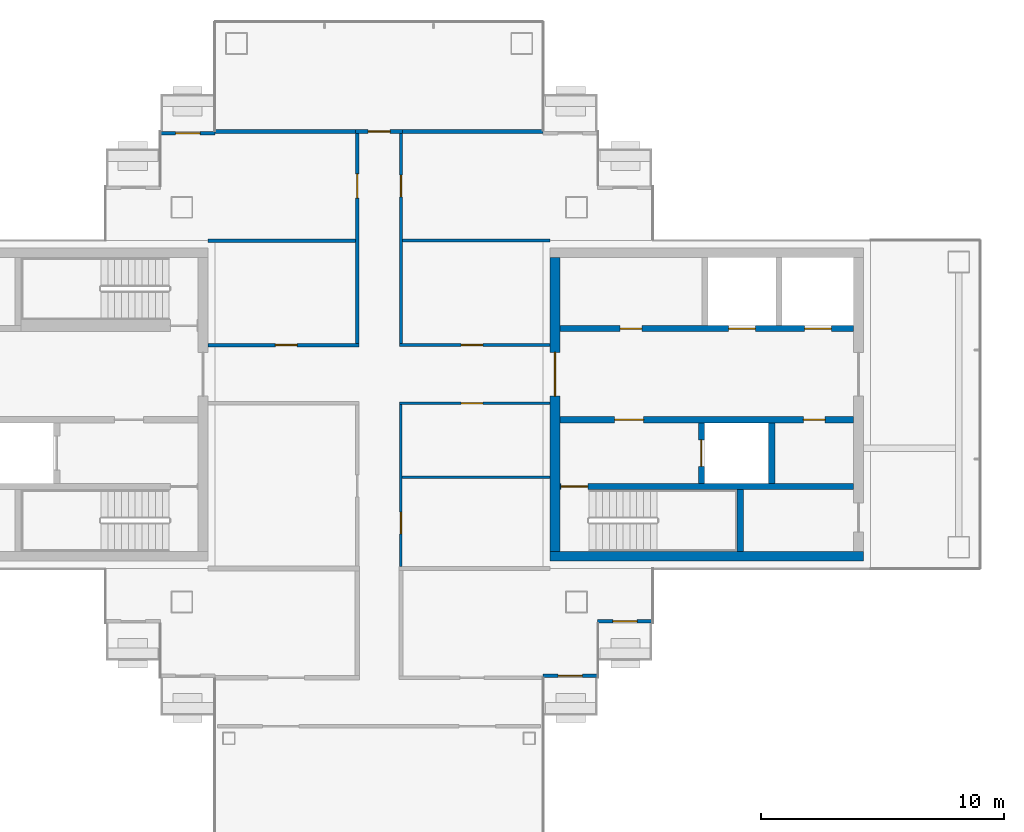
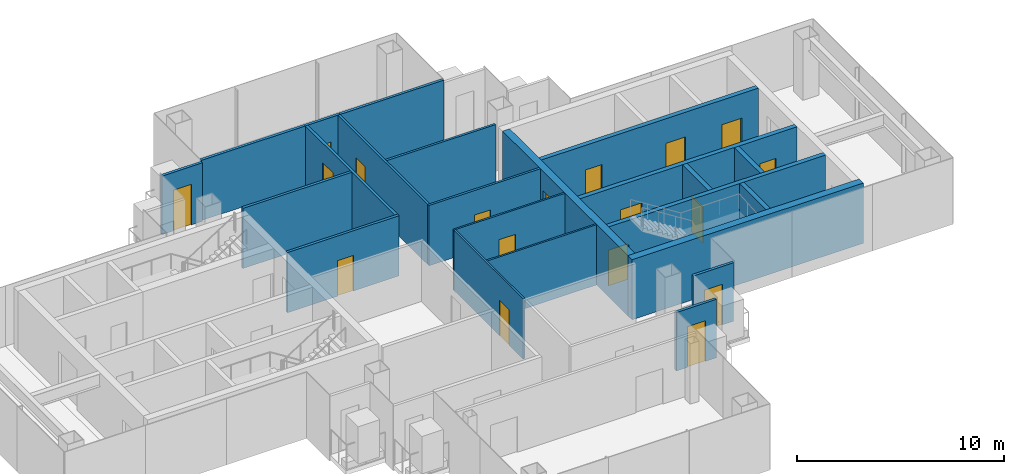
# One storey, part 10 of 16: 23 walls, 18 doors, 18 openings.
"""IFC4 building model written with IfcOpenShell, lengths in metres."""

from ifc_helpers import new_model, si_unit, direction, frame, frame_2d, origin, place, context, subcontext, project, spatial, rectangle, extrude, material, layer, layer_set, type_object, element, fill, save


model = new_model("IFC4")

# Units and contexts
model_context = context("Model", 3, precision=1e-05, world=origin(), true_north=direction((0.0, 1.0)))
body_context = subcontext(model_context, "Body", "Model", "MODEL_VIEW")
ifc_project = project(units=[si_unit("LENGTHUNIT", "METRE"), si_unit("AREAUNIT", "SQUARE_METRE"), si_unit("VOLUMEUNIT", "CUBIC_METRE"), si_unit("PLANEANGLEUNIT", "RADIAN"), si_unit("MASSUNIT", "GRAM", prefix="KILO")], contexts=[model_context])

# Site, building, storey
site_placement = place(None, origin())
site = spatial("IfcSite", under=ifc_project, at=site_placement, CompositionType="ELEMENT")
building_placement = place(site_placement, origin())
building = spatial("IfcBuilding", under=site, at=building_placement, Name="Shamsa Quay Exchange Towers", CompositionType="ELEMENT")
storey_placement = place(building_placement, frame((0.0, 0.0, 265.5)))
storey = spatial("IfcBuildingStorey", under=building, at=storey_placement, Name="L64", CompositionType="ELEMENT", Elevation=265.5)

# Wall, opening, door
ifc_material_1 = material(Name="Aluminium EN AW-6063 T6, black anodised, with black enamelled glass infill", Category="aluminium")
ifc_layer_1 = layer(ifc_material_1, 0.14990234375)
ifc_layer_set_1 = layer_set([ifc_layer_1], Name="BALCONY DOOR BAY WALL 150")
wall_type_1 = type_object("IfcWallType", Name="BALCONY DOOR BAY WALL 150", PredefinedType="SOLIDWALL", material=ifc_layer_set_1)
wall_1_placement = place(storey_placement, frame((-22.5, -8.925048828125, 0.0), z_axis=(0.0, 0.0, 1.0), x_axis=(-1.0, 0.0, 0.0)))
wall_1 = element("IfcWall", 1, at=wall_1_placement, inside=storey, type_object=wall_type_1, Name="Door bay T1-PKES L64", PredefinedType="SOLIDWALL", context=body_context, shape_type="SweptSolid", body=[
    extrude(rectangle(XDim=2.25, YDim=0.14990234375, at=frame_2d((1.125, 0.0))), origin(), (0.0, 0.0, 1.0), 3.449951171875),
])
opening_1_placement = place(wall_1_placement, frame((0.625, 0.0, 0.0)))
opening_1 = element("IfcOpeningElement", 2, at=opening_1_placement, cuts=wall_1, Name="Opening XD435", PredefinedType="OPENING", context=body_context, shape_type="SweptSolid", body=[
    extrude(rectangle(XDim=1.0, YDim=2.39990234375, at=frame_2d((0.5, 1.199951171875))), frame((0.0, 0.0849609375, 0.0), z_axis=(0.0, -1.0, 0.0), x_axis=(1.0, 0.0, 0.0)), (0.0, 0.0, 1.0), 0.169921875),
])
ifc_material_2 = material(Name="Aluminium EN AW-6063 T6, black anodised, with laminated glass leaf", Category="aluminium")
door_type_1 = type_object("IfcDoorType", Name="BALCONY DOOR 1000x2400", OperationType="SINGLE_SWING_LEFT", PredefinedType="DOOR", material=ifc_material_2)
door_1_placement = place(opening_1_placement, origin())
door_1 = element("IfcDoor", 3, at=door_1_placement, inside=storey, type_object=door_type_1, Name="Balcony door T1-PKES L64", OperationType="SINGLE_SWING_RIGHT", OverallHeight=2.39990234375, OverallWidth=1.0, PredefinedType="DOOR", context=body_context, shape_type="SweptSolid", body=[
    extrude(rectangle(XDim=1.0, YDim=2.39990234375, at=frame_2d((0.5, 1.199951171875))), frame((0.0, 0.02490234375, 0.0), z_axis=(0.0, -1.0, 0.0), x_axis=(1.0, 0.0, 0.0)), (0.0, 0.0, 1.0), 0.050048828125),
])
fill(opening_1, door_1)

wall_2_placement = place(storey_placement, frame((-24.75, -11.175048828125, 0.0), z_axis=(0.0, 0.0, 1.0), x_axis=(-1.0, 0.0, 0.0)))
wall_2 = element("IfcWall", 4, at=wall_2_placement, inside=storey, type_object=wall_type_1, Name="Door bay T1-PKES L64", PredefinedType="SOLIDWALL", context=body_context, shape_type="SweptSolid", body=[
    extrude(rectangle(XDim=2.25, YDim=0.14990234375, at=frame_2d((1.125, 0.0))), origin(), (0.0, 0.0, 1.0), 3.449951171875),
])
opening_2_placement = place(wall_2_placement, frame((0.625, 0.0, 0.0)))
opening_2 = element("IfcOpeningElement", 5, at=opening_2_placement, cuts=wall_2, Name="Opening XD436", PredefinedType="OPENING", context=body_context, shape_type="SweptSolid", body=[
    extrude(rectangle(XDim=1.0, YDim=2.39990234375, at=frame_2d((0.5, 1.199951171875))), frame((0.0, 0.0849609375, 0.0), z_axis=(0.0, -1.0, 0.0), x_axis=(1.0, 0.0, 0.0)), (0.0, 0.0, 1.0), 0.169921875),
])
door_2_placement = place(opening_2_placement, origin())
door_2 = element("IfcDoor", 6, at=door_2_placement, inside=storey, type_object=door_type_1, Name="Balcony door T1-PKES L64", OperationType="SINGLE_SWING_LEFT", OverallHeight=2.39990234375, OverallWidth=1.0, PredefinedType="DOOR", context=body_context, shape_type="SweptSolid", body=[
    extrude(rectangle(XDim=1.0, YDim=2.39990234375, at=frame_2d((0.5, 1.199951171875))), frame((0.0, 0.02490234375, 0.0), z_axis=(0.0, -1.0, 0.0), x_axis=(1.0, 0.0, 0.0)), (0.0, 0.0, 1.0), 0.050048828125),
])
fill(opening_2, door_2)

wall_3_placement = place(storey_placement, frame((-42.75, 11.175048828125, 0.0)))
wall_3 = element("IfcWall", 7, at=wall_3_placement, inside=storey, type_object=wall_type_1, Name="Door bay T1-PKWN L64", PredefinedType="SOLIDWALL", context=body_context, shape_type="SweptSolid", body=[
    extrude(rectangle(XDim=2.25, YDim=0.14990234375, at=frame_2d((1.125, 0.0))), origin(), (0.0, 0.0, 1.0), 3.449951171875),
])
opening_3_placement = place(wall_3_placement, frame((0.625, 0.0, 0.0)))
opening_3 = element("IfcOpeningElement", 8, at=opening_3_placement, cuts=wall_3, Name="Opening XD437", PredefinedType="OPENING", context=body_context, shape_type="SweptSolid", body=[
    extrude(rectangle(XDim=1.0, YDim=2.39990234375, at=frame_2d((0.5, 1.199951171875))), frame((0.0, 0.0849609375, 0.0), z_axis=(0.0, -1.0, 0.0), x_axis=(1.0, 0.0, 0.0)), (0.0, 0.0, 1.0), 0.169921875),
])
door_3_placement = place(opening_3_placement, origin())
door_3 = element("IfcDoor", 9, at=door_3_placement, inside=storey, type_object=door_type_1, Name="Balcony door T1-PKWN L64", OperationType="SINGLE_SWING_LEFT", OverallHeight=2.39990234375, OverallWidth=1.0, PredefinedType="DOOR", context=body_context, shape_type="SweptSolid", body=[
    extrude(rectangle(XDim=1.0, YDim=2.39990234375, at=frame_2d((0.5, 1.199951171875))), frame((0.0, 0.02490234375, 0.0), z_axis=(0.0, -1.0, 0.0), x_axis=(1.0, 0.0, 0.0)), (0.0, 0.0, 1.0), 0.050048828125),
])
fill(opening_3, door_3)

# Wall
ifc_material_3 = material(Name="Concrete C60/75", Category="concrete")
ifc_layer_2 = layer(ifc_material_3, 0.39990234375)
ifc_layer_set_2 = layer_set([ifc_layer_2], Name="CORE WALL 400 C60/75")
wall_type_2 = type_object("IfcWallType", Name="CORE WALL 400 C60/75", PredefinedType="SHEAR", material=ifc_layer_set_2)
wall_4_placement = place(storey_placement, frame((-26.699951171875, -6.25, 0.0)))
element("IfcWall", 10, at=wall_4_placement, inside=storey, type_object=wall_type_2, Name="Core wall T1A-R29-PS", PredefinedType="SHEAR", context=body_context, shape_type="SweptSolid", body=[
    extrude(rectangle(XDim=12.89990234375, YDim=0.39990234375, at=frame_2d((6.449951171875, 0.0))), origin(), (0.0, 0.0, 1.0), 3.550048828125),
])

# Wall, opening, door
wall_5_placement = place(storey_placement, frame((-26.5, 6.050048828125, 0.0), z_axis=(0.0, 0.0, 1.0), x_axis=(0.0, -1.0, 0.0)))
wall_5 = element("IfcWall", 11, at=wall_5_placement, inside=storey, type_object=wall_type_2, Name="Core wall T1A-R29-PF", PredefinedType="SHEAR", context=body_context, shape_type="SweptSolid", body=[
    extrude(rectangle(XDim=12.10009765625, YDim=0.39990234375, at=frame_2d((6.050048828125, 0.0))), origin(), (0.0, 0.0, 1.0), 3.550048828125),
])
opening_4_placement = place(wall_5_placement, frame((3.89990234375, 0.0, 0.0)))
opening_4 = element("IfcOpeningElement", 12, at=opening_4_placement, cuts=wall_5, Name="Opening T1A-R29-LBD01", PredefinedType="OPENING", context=body_context, shape_type="SweptSolid", body=[
    extrude(rectangle(XDim=1.800048828125, YDim=2.39990234375, at=frame_2d((0.89990234375, 1.199951171875))), frame((0.0, 0.2099609375, 0.0), z_axis=(0.0, -1.0, 0.0), x_axis=(1.0, 0.0, 0.0)), (0.0, 0.0, 1.0), 0.419921875),
])
ifc_material_4 = material(Name="Steel, fire rated", Category="steel")
door_type_2 = type_object("IfcDoorType", Name="LIFT LOBBY DOOR PAIR 1800", OperationType="DOUBLE_DOOR_SINGLE_SWING", PredefinedType="DOOR", material=ifc_material_4)
door_4_placement = place(opening_4_placement, origin())
door_4 = element("IfcDoor", 13, at=door_4_placement, inside=storey, type_object=door_type_2, Name="T1A-R29-LBD01", OperationType="DOUBLE_DOOR_SINGLE_SWING", OverallHeight=2.39990234375, OverallWidth=1.800048828125, PredefinedType="DOOR", context=body_context, shape_type="SweptSolid", body=[
    extrude(rectangle(XDim=1.800048828125, YDim=2.39990234375, at=frame_2d((0.89990234375, 1.199951171875))), frame((0.0, 0.02490234375, 0.0), z_axis=(0.0, -1.0, 0.0), x_axis=(1.0, 0.0, 0.0)), (0.0, 0.0, 1.0), 0.050048828125),
])
fill(opening_4, door_4)

ifc_material_5 = material(Name="Laminated fire-resisting glass in a metal frame", Category="glass")
ifc_layer_3 = layer(ifc_material_5, 0.125)
ifc_layer_set_3 = layer_set([ifc_layer_3], Name="Glazed partition 125 mm EI 60")
wall_type_3 = type_object("IfcWallType", Name="Glazed partition 125 mm EI 60", PredefinedType="PARTITIONING", material=ifc_layer_set_3)
wall_6_placement = place(storey_placement, frame((-32.849609375, 11.175048828125, 0.0), z_axis=(0.0, 0.0, 1.0), x_axis=(0.0, -1.0, 0.0)))
wall_6 = element("IfcWall", 14, at=wall_6_placement, inside=storey, type_object=wall_type_3, Name="Partition T1-R29-W01", PredefinedType="PARTITIONING", context=body_context, shape_type="SweptSolid", body=[
    extrude(rectangle(XDim=8.662353515625, YDim=0.125, at=frame_2d((4.3310546875, 0.0))), origin(), (0.0, 0.0, 1.0), 3.550048828125),
])
opening_5_placement = place(wall_6_placement, frame((1.72509765625, 0.0, 0.0)))
opening_5 = element("IfcOpeningElement", 15, at=opening_5_placement, cuts=wall_6, Name="Opening T1-R29-D11", PredefinedType="OPENING", context=body_context, shape_type="SweptSolid", body=[
    extrude(rectangle(XDim=0.89990234375, YDim=2.10009765625, at=frame_2d((0.449951171875, 1.050048828125))), frame((0.0, 0.072509765625, 0.0), z_axis=(0.0, -1.0, 0.0), x_axis=(1.0, 0.0, 0.0)), (0.0, 0.0, 1.0), 0.14501953125),
])
ifc_material_6 = material(Name="Timber door leaf in a metal frame", Category="wood")
door_type_3 = type_object("IfcDoorType", Name="Door 900x2100 FD30S", OperationType="NOTDEFINED", PredefinedType="DOOR", material=ifc_material_6)
door_5_placement = place(opening_5_placement, origin())
door_5 = element("IfcDoor", 16, at=door_5_placement, inside=storey, type_object=door_type_3, Name="Door T1-R29-D11", OperationType="SINGLE_SWING_RIGHT", OverallHeight=2.10009765625, OverallWidth=0.89990234375, PredefinedType="DOOR", context=body_context, shape_type="SweptSolid", body=[
    extrude(rectangle(XDim=0.89990234375, YDim=2.10009765625, at=frame_2d((0.449951171875, 1.050048828125))), frame((0.0, 0.02490234375, 0.0), z_axis=(0.0, -1.0, 0.0), x_axis=(1.0, 0.0, 0.0)), (0.0, 0.0, 1.0), 0.050048828125),
])
fill(opening_5, door_5)

wall_7_placement = place(storey_placement, frame((-32.912109375, 2.4501953125, 0.0)))
wall_7 = element("IfcWall", 17, at=wall_7_placement, inside=storey, type_object=wall_type_3, Name="Partition T1-R29-W02", PredefinedType="PARTITIONING", context=body_context, shape_type="SweptSolid", body=[
    extrude(rectangle(XDim=6.212158203125, YDim=0.125, at=frame_2d((3.10595703125, 0.0))), origin(), (0.0, 0.0, 1.0), 3.550048828125),
])
opening_6_placement = place(wall_7_placement, frame((2.537353515625, 0.0, 0.0)))
opening_6 = element("IfcOpeningElement", 18, at=opening_6_placement, cuts=wall_7, Name="Opening T1-R29-D10", PredefinedType="OPENING", context=body_context, shape_type="SweptSolid", body=[
    extrude(rectangle(XDim=0.89990234375, YDim=2.10009765625, at=frame_2d((0.449951171875, 1.050048828125))), frame((0.0, 0.072509765625, 0.0), z_axis=(0.0, -1.0, 0.0), x_axis=(1.0, 0.0, 0.0)), (0.0, 0.0, 1.0), 0.14501953125),
])
door_6_placement = place(opening_6_placement, origin())
door_6 = element("IfcDoor", 19, at=door_6_placement, inside=storey, type_object=door_type_3, Name="Door T1-R29-D10", OperationType="SINGLE_SWING_RIGHT", OverallHeight=2.10009765625, OverallWidth=0.89990234375, PredefinedType="DOOR", context=body_context, shape_type="SweptSolid", body=[
    extrude(rectangle(XDim=0.89990234375, YDim=2.10009765625, at=frame_2d((0.449951171875, 1.050048828125))), frame((0.0, 0.02490234375, 0.0), z_axis=(0.0, -1.0, 0.0), x_axis=(1.0, 0.0, 0.0)), (0.0, 0.0, 1.0), 0.050048828125),
])
fill(opening_6, door_6)

# Wall
wall_8_placement = place(storey_placement, frame((-26.699951171875, 6.75, 0.0), z_axis=(0.0, 0.0, 1.0), x_axis=(-1.0, 0.0, 0.0)))
element("IfcWall", 20, at=wall_8_placement, inside=storey, type_object=wall_type_3, Name="Partition T1-R29-W15", PredefinedType="PARTITIONING", context=body_context, shape_type="SweptSolid", body=[
    extrude(rectangle(XDim=6.087158203125, YDim=0.125, at=frame_2d((3.04345703125, 0.0))), origin(), (0.0, 0.0, 1.0), 3.550048828125),
])

# Wall, opening, door
ifc_material_7 = material(Name="Gypsum board partition on metal studs")
ifc_layer_4 = layer(ifc_material_7, 0.10009765625)
ifc_layer_set_4 = layer_set([ifc_layer_4], Name="Partition 100 mm NOT RATED")
wall_type_4 = type_object("IfcWallType", Name="Partition 100 mm NOT RATED", PredefinedType="PARTITIONING", material=ifc_layer_set_4)
wall_9_placement = place(storey_placement, frame((-32.849609375, -0.000244140625, 0.0), z_axis=(0.0, 0.0, 1.0), x_axis=(0.0, -1.0, 0.0)))
wall_9 = element("IfcWall", 21, at=wall_9_placement, inside=storey, type_object=wall_type_4, Name="Partition T1-R29-W03", PredefinedType="PARTITIONING", context=body_context, shape_type="SweptSolid", body=[
    extrude(rectangle(XDim=6.6748046875, YDim=0.10009765625, at=frame_2d((3.33740234375, 0.0))), origin(), (0.0, 0.0, 1.0), 3.550048828125),
])
opening_7_placement = place(wall_9_placement, frame((4.4248046875, 0.0, 0.0)))
opening_7 = element("IfcOpeningElement", 22, at=opening_7_placement, cuts=wall_9, Name="Opening T1-R29-D09", PredefinedType="OPENING", context=body_context, shape_type="SweptSolid", body=[
    extrude(rectangle(XDim=0.89990234375, YDim=2.10009765625, at=frame_2d((0.449951171875, 1.050048828125))), frame((0.0, 0.06005859375, 0.0), z_axis=(0.0, -1.0, 0.0), x_axis=(1.0, 0.0, 0.0)), (0.0, 0.0, 1.0), 0.1201171875),
])
door_type_4 = type_object("IfcDoorType", Name="Door 900x2100 NOT RATED", OperationType="NOTDEFINED", PredefinedType="DOOR", material=ifc_material_6)
door_7_placement = place(opening_7_placement, origin())
door_7 = element("IfcDoor", 23, at=door_7_placement, inside=storey, type_object=door_type_4, Name="Door T1-R29-D09", OperationType="SINGLE_SWING_LEFT", OverallHeight=2.10009765625, OverallWidth=0.89990234375, PredefinedType="DOOR", context=body_context, shape_type="SweptSolid", body=[
    extrude(rectangle(XDim=0.89990234375, YDim=2.10009765625, at=frame_2d((0.449951171875, 1.050048828125))), frame((0.0, 0.02490234375, 0.0), z_axis=(0.0, -1.0, 0.0), x_axis=(1.0, 0.0, 0.0)), (0.0, 0.0, 1.0), 0.050048828125),
])
fill(opening_7, door_7)

wall_10_placement = place(storey_placement, frame((-26.699951171875, 0.0498046875, 0.0), z_axis=(0.0, 0.0, 1.0), x_axis=(-1.0, 0.0, 0.0)))
wall_10 = element("IfcWall", 24, at=wall_10_placement, inside=storey, type_object=wall_type_4, Name="Partition T1-R29-W04", PredefinedType="PARTITIONING", context=body_context, shape_type="SweptSolid", body=[
    extrude(rectangle(XDim=6.19970703125, YDim=0.10009765625, at=frame_2d((3.099853515625, 0.0))), origin(), (0.0, 0.0, 1.0), 3.550048828125),
])
opening_8_placement = place(wall_10_placement, frame((2.77490234375, 0.0, 0.0)))
opening_8 = element("IfcOpeningElement", 25, at=opening_8_placement, cuts=wall_10, Name="Opening T1-R29-D12", PredefinedType="OPENING", context=body_context, shape_type="SweptSolid", body=[
    extrude(rectangle(XDim=0.89990234375, YDim=2.10009765625, at=frame_2d((0.449951171875, 1.050048828125))), frame((0.0, 0.06005859375, 0.0), z_axis=(0.0, -1.0, 0.0), x_axis=(1.0, 0.0, 0.0)), (0.0, 0.0, 1.0), 0.1201171875),
])
door_8_placement = place(opening_8_placement, origin())
door_8 = element("IfcDoor", 26, at=door_8_placement, inside=storey, type_object=door_type_4, Name="Door T1-R29-D12", OperationType="SINGLE_SWING_LEFT", OverallHeight=2.10009765625, OverallWidth=0.89990234375, PredefinedType="DOOR", context=body_context, shape_type="SweptSolid", body=[
    extrude(rectangle(XDim=0.89990234375, YDim=2.10009765625, at=frame_2d((0.449951171875, 1.050048828125))), frame((0.0, 0.02490234375, 0.0), z_axis=(0.0, -1.0, 0.0), x_axis=(1.0, 0.0, 0.0)), (0.0, 0.0, 1.0), 0.050048828125),
])
fill(opening_8, door_8)

# Wall
wall_11_placement = place(storey_placement, frame((-26.699951171875, -3.0, 0.0), z_axis=(0.0, 0.0, 1.0), x_axis=(-1.0, 0.0, 0.0)))
element("IfcWall", 27, at=wall_11_placement, inside=storey, type_object=wall_type_4, Name="Partition T1-R29-W16", PredefinedType="PARTITIONING", context=body_context, shape_type="SweptSolid", body=[
    extrude(rectangle(XDim=6.099609375, YDim=0.10009765625, at=frame_2d((3.0498046875, 0.0))), origin(), (0.0, 0.0, 1.0), 3.550048828125),
])

# Wall, opening, door
ifc_layer_5 = layer(ifc_material_7, 0.14990234375)
ifc_layer_set_5 = layer_set([ifc_layer_5], Name="Partition 150 mm EI 60")
wall_type_5 = type_object("IfcWallType", Name="Partition 150 mm EI 60", PredefinedType="PARTITIONING", material=ifc_layer_set_5)
wall_12_placement = place(storey_placement, frame((-40.800048828125, 2.4501953125, 0.0)))
wall_12 = element("IfcWall", 28, at=wall_12_placement, inside=storey, type_object=wall_type_5, Name="Partition T1-R29-W05", PredefinedType="PARTITIONING", context=body_context, shape_type="SweptSolid", body=[
    extrude(rectangle(XDim=6.224609375, YDim=0.14990234375, at=frame_2d((3.1123046875, 0.0))), origin(), (0.0, 0.0, 1.0), 3.550048828125),
])
opening_9_placement = place(wall_12_placement, frame((2.77490234375, 0.0, 0.0)))
opening_9 = element("IfcOpeningElement", 29, at=opening_9_placement, cuts=wall_12, Name="Opening T1-R29-D04", PredefinedType="OPENING", context=body_context, shape_type="SweptSolid", body=[
    extrude(rectangle(XDim=0.89990234375, YDim=2.10009765625, at=frame_2d((0.449951171875, 1.050048828125))), frame((0.0, 0.0849609375, 0.0), z_axis=(0.0, -1.0, 0.0), x_axis=(1.0, 0.0, 0.0)), (0.0, 0.0, 1.0), 0.169921875),
])
door_9_placement = place(opening_9_placement, origin())
door_9 = element("IfcDoor", 30, at=door_9_placement, inside=storey, type_object=door_type_3, Name="Door T1-R29-D04", OperationType="SINGLE_SWING_RIGHT", OverallHeight=2.10009765625, OverallWidth=0.89990234375, PredefinedType="DOOR", context=body_context, shape_type="SweptSolid", body=[
    extrude(rectangle(XDim=0.89990234375, YDim=2.10009765625, at=frame_2d((0.449951171875, 1.050048828125))), frame((0.0, 0.02490234375, 0.0), z_axis=(0.0, -1.0, 0.0), x_axis=(1.0, 0.0, 0.0)), (0.0, 0.0, 1.0), 0.050048828125),
])
fill(opening_9, door_9)

wall_13_placement = place(storey_placement, frame((-34.650390625, 2.525146484375, 0.0), z_axis=(0.0, 0.0, 1.0), x_axis=(0.0, 1.0, 0.0)))
wall_13 = element("IfcWall", 31, at=wall_13_placement, inside=storey, type_object=wall_type_5, Name="Partition T1-R29-W07", PredefinedType="PARTITIONING", context=body_context, shape_type="SweptSolid", body=[
    extrude(rectangle(XDim=8.64990234375, YDim=0.14990234375, at=frame_2d((4.324951171875, 0.0))), origin(), (0.0, 0.0, 1.0), 3.550048828125),
])
opening_10_placement = place(wall_13_placement, frame((5.974853515625, 0.0, 0.0)))
opening_10 = element("IfcOpeningElement", 32, at=opening_10_placement, cuts=wall_13, Name="Opening T1-R29-D06", PredefinedType="OPENING", context=body_context, shape_type="SweptSolid", body=[
    extrude(rectangle(XDim=1.0, YDim=2.39990234375, at=frame_2d((0.5, 1.199951171875))), frame((0.0, 0.0849609375, 0.0), z_axis=(0.0, -1.0, 0.0), x_axis=(1.0, 0.0, 0.0)), (0.0, 0.0, 1.0), 0.169921875),
])
door_type_5 = type_object("IfcDoorType", Name="Door 1000x2400 FD30S", OperationType="NOTDEFINED", PredefinedType="DOOR", material=ifc_material_6)
door_10_placement = place(opening_10_placement, origin())
door_10 = element("IfcDoor", 33, at=door_10_placement, inside=storey, type_object=door_type_5, Name="Door T1-R29-D06", OperationType="SINGLE_SWING_LEFT", OverallHeight=2.39990234375, OverallWidth=1.0, PredefinedType="DOOR", context=body_context, shape_type="SweptSolid", body=[
    extrude(rectangle(XDim=1.0, YDim=2.39990234375, at=frame_2d((0.5, 1.199951171875))), frame((0.0, 0.02490234375, 0.0), z_axis=(0.0, -1.0, 0.0), x_axis=(1.0, 0.0, 0.0)), (0.0, 0.0, 1.0), 0.050048828125),
])
fill(opening_10, door_10)

wall_14_placement = place(storey_placement, frame((-34.725341796875, 11.25, 0.0)))
wall_14 = element("IfcWall", 34, at=wall_14_placement, inside=storey, type_object=wall_type_5, Name="Partition T1-R29-W09", PredefinedType="PARTITIONING", context=body_context, shape_type="SweptSolid", body=[
    extrude(rectangle(XDim=1.938232421875, YDim=0.14990234375, at=frame_2d((0.96923828125, 0.0))), origin(), (0.0, 0.0, 1.0), 3.550048828125),
])
opening_11_placement = place(wall_14_placement, frame((0.525390625, 0.0, 0.0)))
opening_11 = element("IfcOpeningElement", 35, at=opening_11_placement, cuts=wall_14, Name="Opening T1-R29-D07", PredefinedType="OPENING", context=body_context, shape_type="SweptSolid", body=[
    extrude(rectangle(XDim=0.89990234375, YDim=2.10009765625, at=frame_2d((0.449951171875, 1.050048828125))), frame((0.0, 0.0849609375, 0.0), z_axis=(0.0, -1.0, 0.0), x_axis=(1.0, 0.0, 0.0)), (0.0, 0.0, 1.0), 0.169921875),
])
door_11_placement = place(opening_11_placement, origin())
door_11 = element("IfcDoor", 36, at=door_11_placement, inside=storey, type_object=door_type_3, Name="Door T1-R29-D07", OperationType="SINGLE_SWING_RIGHT", OverallHeight=2.10009765625, OverallWidth=0.89990234375, PredefinedType="DOOR", context=body_context, shape_type="SweptSolid", body=[
    extrude(rectangle(XDim=0.89990234375, YDim=2.10009765625, at=frame_2d((0.449951171875, 1.050048828125))), frame((0.0, 0.02490234375, 0.0), z_axis=(0.0, -1.0, 0.0), x_axis=(1.0, 0.0, 0.0)), (0.0, 0.0, 1.0), 0.050048828125),
])
fill(opening_11, door_11)

# Walls
wall_15_placement = place(storey_placement, frame((-34.725341796875, 6.75, 0.0), z_axis=(0.0, 0.0, 1.0), x_axis=(-1.0, 0.0, 0.0)))
element("IfcWall", 37, at=wall_15_placement, inside=storey, type_object=wall_type_5, Name="Partition T1-R29-W18", PredefinedType="PARTITIONING", context=body_context, shape_type="SweptSolid", body=[
    extrude(rectangle(XDim=6.07470703125, YDim=0.14990234375, at=frame_2d((3.037353515625, 0.0))), origin(), (0.0, 0.0, 1.0), 3.550048828125),
])
wall_16_placement = place(storey_placement, frame((-27.0, 11.25, 0.0), z_axis=(0.0, 0.0, 1.0), x_axis=(-1.0, 0.0, 0.0)))
element("IfcWall", 38, at=wall_16_placement, inside=storey, type_object=wall_type_5, Name="Partition T1-R29-W20", PredefinedType="PARTITIONING", context=body_context, shape_type="SweptSolid", body=[
    extrude(rectangle(XDim=5.912109375, YDim=0.14990234375, at=frame_2d((2.9560546875, 0.0))), origin(), (0.0, 0.0, 1.0), 3.550048828125),
])
wall_17_placement = place(storey_placement, frame((-34.575439453125, 11.25, 0.0), z_axis=(0.0, 0.0, 1.0), x_axis=(-1.0, 0.0, 0.0)))
element("IfcWall", 39, at=wall_17_placement, inside=storey, type_object=wall_type_5, Name="Partition T1-R29-W21", PredefinedType="PARTITIONING", context=body_context, shape_type="SweptSolid", body=[
    extrude(rectangle(XDim=5.924560546875, YDim=0.14990234375, at=frame_2d((2.96240234375, 0.0))), origin(), (0.0, 0.0, 1.0), 3.550048828125),
])

# Wall, opening, door
ifc_material_8 = material(Name="Concrete C50/60", Category="concrete")
ifc_layer_6 = layer(ifc_material_8, 0.25)
ifc_layer_set_6 = layer_set([ifc_layer_6], Name="SHAFT WALL 250 C50/60")
wall_type_6 = type_object("IfcWallType", Name="SHAFT WALL 250 C50/60", PredefinedType="SHEAR", material=ifc_layer_set_6)
wall_18_placement = place(storey_placement, frame((-14.199951171875, -3.375, 0.0), z_axis=(0.0, 0.0, 1.0), x_axis=(-1.0, 0.0, 0.0)))
wall_18 = element("IfcWall", 40, at=wall_18_placement, inside=storey, type_object=wall_type_6, Name="Shaft wall T1A-R29-STL", PredefinedType="SHEAR", context=body_context, shape_type="SweptSolid", body=[
    extrude(rectangle(XDim=12.10009765625, YDim=0.25, at=frame_2d((6.050048828125, 0.0))), origin(), (0.0, 0.0, 1.0), 3.550048828125),
])
opening_12_placement = place(wall_18_placement, frame((10.949951171875, 0.0, 0.0)))
opening_12 = element("IfcOpeningElement", 41, at=opening_12_placement, cuts=wall_18, Name="Opening T1A-R29-SD04", PredefinedType="OPENING", context=body_context, shape_type="SweptSolid", body=[
    extrude(rectangle(XDim=1.10009765625, YDim=2.10009765625, at=frame_2d((0.550048828125, 1.050048828125))), frame((0.0, 0.135009765625, 0.0), z_axis=(0.0, -1.0, 0.0), x_axis=(1.0, 0.0, 0.0)), (0.0, 0.0, 1.0), 0.27001953125),
])
door_type_6 = type_object("IfcDoorType", Name="STAIR DOOR 1100", OperationType="SINGLE_SWING_LEFT", PredefinedType="DOOR", material=ifc_material_4)
door_12_placement = place(opening_12_placement, origin())
door_12 = element("IfcDoor", 42, at=door_12_placement, inside=storey, type_object=door_type_6, Name="T1A-R29-SD04", OperationType="SINGLE_SWING_RIGHT", OverallHeight=2.10009765625, OverallWidth=1.10009765625, PredefinedType="DOOR", context=body_context, shape_type="SweptSolid", body=[
    extrude(rectangle(XDim=1.10009765625, YDim=2.10009765625, at=frame_2d((0.550048828125, 1.050048828125))), frame((0.0, 0.02490234375, 0.0), z_axis=(0.0, -1.0, 0.0), x_axis=(1.0, 0.0, 0.0)), (0.0, 0.0, 1.0), 0.050048828125),
])
fill(opening_12, door_12)

# Wall
wall_19_placement = place(storey_placement, frame((-18.875, -6.050048828125, 0.0), z_axis=(0.0, 0.0, 1.0), x_axis=(0.0, 1.0, 0.0)))
element("IfcWall", 43, at=wall_19_placement, inside=storey, type_object=wall_type_6, Name="Shaft wall T1A-R29-STF", PredefinedType="SHEAR", context=body_context, shape_type="SweptSolid", body=[
    extrude(rectangle(XDim=2.550048828125, YDim=0.25, at=frame_2d((1.27490234375, 0.0))), origin(), (0.0, 0.0, 1.0), 3.550048828125),
])

# Wall, openings, doors
wall_20_placement = place(storey_placement, frame((-14.199951171875, -0.625, 0.0), z_axis=(0.0, 0.0, 1.0), x_axis=(-1.0, 0.0, 0.0)))
wall_20 = element("IfcWall", 44, at=wall_20_placement, inside=storey, type_object=wall_type_6, Name="Shaft wall T1A-R29-B", PredefinedType="SHEAR", context=body_context, shape_type="SweptSolid", body=[
    extrude(rectangle(XDim=12.10009765625, YDim=0.25, at=frame_2d((6.050048828125, 0.0))), origin(), (0.0, 0.0, 1.0), 3.550048828125),
])
opening_13_placement = place(wall_20_placement, frame((8.64990234375, 0.0, 0.0)))
opening_13 = element("IfcOpeningElement", 45, at=opening_13_placement, cuts=wall_20, Name="Opening T1A-R29-FD05", PredefinedType="OPENING", context=body_context, shape_type="SweptSolid", body=[
    extrude(rectangle(XDim=1.199951171875, YDim=2.10009765625, at=frame_2d((0.60009765625, 1.050048828125))), frame((0.0, 0.135009765625, 0.0), z_axis=(0.0, -1.0, 0.0), x_axis=(1.0, 0.0, 0.0)), (0.0, 0.0, 1.0), 0.27001953125),
])
opening_14_placement = place(wall_20_placement, frame((1.175048828125, 0.0, 0.0)))
opening_14 = element("IfcOpeningElement", 46, at=opening_14_placement, cuts=wall_20, Name="Opening T1A-R29-SV06", PredefinedType="OPENING", context=body_context, shape_type="SweptSolid", body=[
    extrude(rectangle(XDim=0.89990234375, YDim=2.10009765625, at=frame_2d((0.449951171875, 1.050048828125))), frame((0.0, 0.135009765625, 0.0), z_axis=(0.0, -1.0, 0.0), x_axis=(1.0, 0.0, 0.0)), (0.0, 0.0, 1.0), 0.27001953125),
])
door_type_7 = type_object("IfcDoorType", Name="FIRE SERVICE LOBBY DOOR 1200", OperationType="SINGLE_SWING_LEFT", PredefinedType="DOOR", material=ifc_material_4)
door_13_placement = place(opening_13_placement, origin())
door_13 = element("IfcDoor", 47, at=door_13_placement, inside=storey, type_object=door_type_7, Name="T1A-R29-FD05", OperationType="SINGLE_SWING_RIGHT", OverallHeight=2.10009765625, OverallWidth=1.199951171875, PredefinedType="DOOR", context=body_context, shape_type="SweptSolid", body=[
    extrude(rectangle(XDim=1.199951171875, YDim=2.10009765625, at=frame_2d((0.60009765625, 1.050048828125))), frame((0.0, 0.02490234375, 0.0), z_axis=(0.0, -1.0, 0.0), x_axis=(1.0, 0.0, 0.0)), (0.0, 0.0, 1.0), 0.050048828125),
])
fill(opening_13, door_13)
door_type_8 = type_object("IfcDoorType", Name="SERVICE ROOM DOOR 900", OperationType="SINGLE_SWING_LEFT", PredefinedType="DOOR", material=ifc_material_4)
door_14_placement = place(opening_14_placement, origin())
door_14 = element("IfcDoor", 48, at=door_14_placement, inside=storey, type_object=door_type_8, Name="T1A-R29-SV06", OperationType="SINGLE_SWING_LEFT", OverallHeight=2.10009765625, OverallWidth=0.89990234375, PredefinedType="DOOR", context=body_context, shape_type="SweptSolid", body=[
    extrude(rectangle(XDim=0.89990234375, YDim=2.10009765625, at=frame_2d((0.449951171875, 1.050048828125))), frame((0.0, 0.02490234375, 0.0), z_axis=(0.0, -1.0, 0.0), x_axis=(1.0, 0.0, 0.0)), (0.0, 0.0, 1.0), 0.050048828125),
])
fill(opening_14, door_14)

# Wall, opening, door
wall_21_placement = place(storey_placement, frame((-20.47509765625, -3.25, 0.0), z_axis=(0.0, 0.0, 1.0), x_axis=(0.0, 1.0, 0.0)))
wall_21 = element("IfcWall", 49, at=wall_21_placement, inside=storey, type_object=wall_type_6, Name="Shaft wall T1A-R29-FFF", PredefinedType="SHEAR", context=body_context, shape_type="SweptSolid", body=[
    extrude(rectangle(XDim=2.5, YDim=0.25, at=frame_2d((1.25, 0.0))), origin(), (0.0, 0.0, 1.0), 3.550048828125),
])
opening_15_placement = place(wall_21_placement, frame((0.699951171875, 0.0, 0.0)))
opening_15 = element("IfcOpeningElement", 50, at=opening_15_placement, cuts=wall_21, Name="Opening T1A-R29-LDF07", PredefinedType="OPENING", context=body_context, shape_type="SweptSolid", body=[
    extrude(rectangle(XDim=1.10009765625, YDim=2.10009765625, at=frame_2d((0.550048828125, 1.050048828125))), frame((0.0, 0.135009765625, 0.0), z_axis=(0.0, -1.0, 0.0), x_axis=(1.0, 0.0, 0.0)), (0.0, 0.0, 1.0), 0.27001953125),
])
door_type_9 = type_object("IfcDoorType", Name="FIRE SERVICE LANDING DOOR 1100", OperationType="SLIDING_TO_LEFT", PredefinedType="DOOR", material=ifc_material_4)
door_15_placement = place(opening_15_placement, origin())
door_15 = element("IfcDoor", 51, at=door_15_placement, inside=storey, type_object=door_type_9, Name="T1A-R29-LDF07", OperationType="SLIDING_TO_LEFT", OverallHeight=2.10009765625, OverallWidth=1.10009765625, PredefinedType="DOOR", context=body_context, shape_type="SweptSolid", body=[
    extrude(rectangle(XDim=1.10009765625, YDim=2.10009765625, at=frame_2d((0.550048828125, 1.050048828125))), frame((0.0, 0.02490234375, 0.0), z_axis=(0.0, -1.0, 0.0), x_axis=(1.0, 0.0, 0.0)), (0.0, 0.0, 1.0), 0.050048828125),
])
fill(opening_15, door_15)

# Wall
wall_22_placement = place(storey_placement, frame((-17.574951171875, -3.25, 0.0), z_axis=(0.0, 0.0, 1.0), x_axis=(0.0, 1.0, 0.0)))
element("IfcWall", 52, at=wall_22_placement, inside=storey, type_object=wall_type_6, Name="Shaft wall T1A-R29-FFB", PredefinedType="SHEAR", context=body_context, shape_type="SweptSolid", body=[
    extrude(rectangle(XDim=2.5, YDim=0.25, at=frame_2d((1.25, 0.0))), origin(), (0.0, 0.0, 1.0), 3.550048828125),
])

# Wall, openings, doors
wall_23_placement = place(storey_placement, frame((-26.300048828125, 3.125, 0.0)))
wall_23 = element("IfcWall", 53, at=wall_23_placement, inside=storey, type_object=wall_type_6, Name="Shaft wall T1A-R29-N", PredefinedType="SHEAR", context=body_context, shape_type="SweptSolid", body=[
    extrude(rectangle(XDim=12.10009765625, YDim=0.25, at=frame_2d((6.050048828125, 0.0))), origin(), (0.0, 0.0, 1.0), 3.550048828125),
])
opening_16_placement = place(wall_23_placement, frame((6.949951171875, 0.0, 0.0)))
opening_16 = element("IfcOpeningElement", 54, at=opening_16_placement, cuts=wall_23, Name="Opening T1A-R29-LD08", PredefinedType="OPENING", context=body_context, shape_type="SweptSolid", body=[
    extrude(rectangle(XDim=1.10009765625, YDim=2.10009765625, at=frame_2d((0.550048828125, 1.050048828125))), frame((0.0, 0.135009765625, 0.0), z_axis=(0.0, -1.0, 0.0), x_axis=(1.0, 0.0, 0.0)), (0.0, 0.0, 1.0), 0.27001953125),
])
opening_17_placement = place(wall_23_placement, frame((10.074951171875, 0.0, 0.0)))
opening_17 = element("IfcOpeningElement", 55, at=opening_17_placement, cuts=wall_23, Name="Opening T1A-R29-LD09", PredefinedType="OPENING", context=body_context, shape_type="SweptSolid", body=[
    extrude(rectangle(XDim=1.10009765625, YDim=2.10009765625, at=frame_2d((0.550048828125, 1.050048828125))), frame((0.0, 0.135009765625, 0.0), z_axis=(0.0, -1.0, 0.0), x_axis=(1.0, 0.0, 0.0)), (0.0, 0.0, 1.0), 0.27001953125),
])
opening_18_placement = place(wall_23_placement, frame((2.47509765625, 0.0, 0.0)))
opening_18 = element("IfcOpeningElement", 56, at=opening_18_placement, cuts=wall_23, Name="Opening T1A-R29-SV10", PredefinedType="OPENING", context=body_context, shape_type="SweptSolid", body=[
    extrude(rectangle(XDim=0.89990234375, YDim=2.10009765625, at=frame_2d((0.449951171875, 1.050048828125))), frame((0.0, 0.135009765625, 0.0), z_axis=(0.0, -1.0, 0.0), x_axis=(1.0, 0.0, 0.0)), (0.0, 0.0, 1.0), 0.27001953125),
])
door_type_10 = type_object("IfcDoorType", Name="LANDING DOOR 1100", OperationType="SLIDING_TO_LEFT", PredefinedType="DOOR", material=ifc_material_4)
door_16_placement = place(opening_16_placement, origin())
door_16 = element("IfcDoor", 57, at=door_16_placement, inside=storey, type_object=door_type_10, Name="T1A-R29-LD08", OperationType="SLIDING_TO_LEFT", OverallHeight=2.10009765625, OverallWidth=1.10009765625, PredefinedType="DOOR", context=body_context, shape_type="SweptSolid", body=[
    extrude(rectangle(XDim=1.10009765625, YDim=2.10009765625, at=frame_2d((0.550048828125, 1.050048828125))), frame((0.0, 0.02490234375, 0.0), z_axis=(0.0, -1.0, 0.0), x_axis=(1.0, 0.0, 0.0)), (0.0, 0.0, 1.0), 0.050048828125),
])
fill(opening_16, door_16)
door_17_placement = place(opening_17_placement, origin())
door_17 = element("IfcDoor", 58, at=door_17_placement, inside=storey, type_object=door_type_10, Name="T1A-R29-LD09", OperationType="SLIDING_TO_LEFT", OverallHeight=2.10009765625, OverallWidth=1.10009765625, PredefinedType="DOOR", context=body_context, shape_type="SweptSolid", body=[
    extrude(rectangle(XDim=1.10009765625, YDim=2.10009765625, at=frame_2d((0.550048828125, 1.050048828125))), frame((0.0, 0.02490234375, 0.0), z_axis=(0.0, -1.0, 0.0), x_axis=(1.0, 0.0, 0.0)), (0.0, 0.0, 1.0), 0.050048828125),
])
fill(opening_17, door_17)
door_18_placement = place(opening_18_placement, origin())
door_18 = element("IfcDoor", 59, at=door_18_placement, inside=storey, type_object=door_type_8, Name="T1A-R29-SV10", OperationType="SINGLE_SWING_LEFT", OverallHeight=2.10009765625, OverallWidth=0.89990234375, PredefinedType="DOOR", context=body_context, shape_type="SweptSolid", body=[
    extrude(rectangle(XDim=0.89990234375, YDim=2.10009765625, at=frame_2d((0.449951171875, 1.050048828125))), frame((0.0, 0.02490234375, 0.0), z_axis=(0.0, -1.0, 0.0), x_axis=(1.0, 0.0, 0.0)), (0.0, 0.0, 1.0), 0.050048828125),
])
fill(opening_18, door_18)

save(model, "model.ifc")
